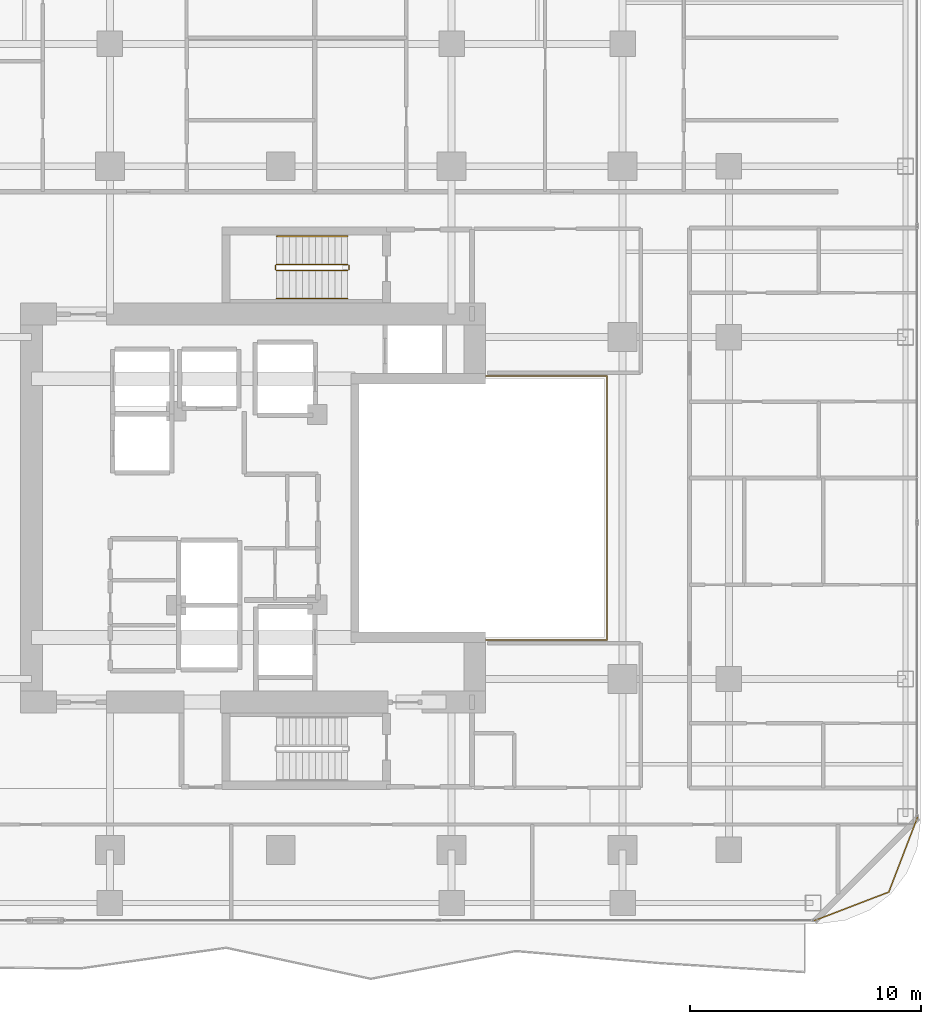
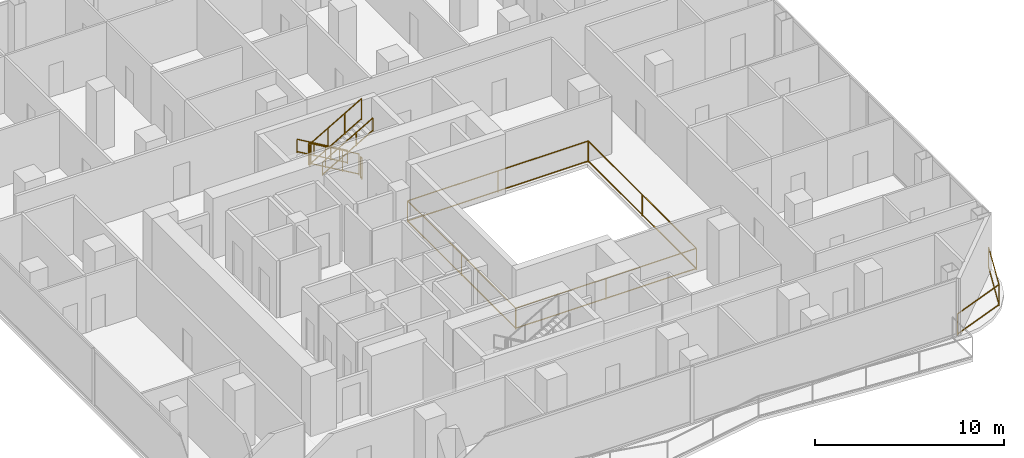
# One storey, part 26 of 27: 8 railings.
"""IFC4 building model written with IfcOpenShell, lengths in metres."""

from ifc_helpers import new_model, si_unit, direction, frame, origin, origin_2d, place, context, subcontext, project, spatial, rectangle, extrude, material, type_object, element, save


model = new_model("IFC4")

# Units and contexts
model_context = context("Model", 3, precision=1e-05, world=origin(), true_north=direction((0.0, 1.0)))
body_context = subcontext(model_context, "Body", "Model", "MODEL_VIEW")
ifc_project = project(units=[si_unit("LENGTHUNIT", "METRE"), si_unit("AREAUNIT", "SQUARE_METRE"), si_unit("VOLUMEUNIT", "CUBIC_METRE"), si_unit("PLANEANGLEUNIT", "RADIAN"), si_unit("MASSUNIT", "GRAM", prefix="KILO")], contexts=[model_context])

# Site, building, storey
site_placement = place(None, origin())
site = spatial("IfcSite", under=ifc_project, at=site_placement, CompositionType="ELEMENT")
building_placement = place(site_placement, origin())
building = spatial("IfcBuilding", under=site, at=building_placement, Name="Khorvyn Point Tower", CompositionType="ELEMENT")
storey_placement = place(building_placement, frame((0.0, 0.0, 125.10009765625)))
storey = spatial("IfcBuildingStorey", under=building, at=storey_placement, Name="L31", CompositionType="ELEMENT", Elevation=125.10009765625)

# Railings
ifc_material_1 = material(Name="Stainless steel 1.4401 and laminated glass", Category="steel")
railing_type_1 = type_object("IfcRailingType", Name="Crystal Atrium Smoke-Rated Perimeter Guardrail 1400", PredefinedType="GUARDRAIL", material=ifc_material_1)
railing_1_placement = place(storey_placement, frame((3.080078125, -5.719970703125, 0.0)))
element("IfcRailing", 1, at=railing_1_placement, inside=storey, type_object=railing_type_1, Name="L31 Crystal Atrium Perimeter Guardrail", PredefinedType="GUARDRAIL", context=body_context, shape_type="SweptSolid", body=[
    extrude(rectangle(XDim=0.048095703125, YDim=0.048095703125, at=origin_2d()), frame((0.0, 0.0, 1.3759765625), z_axis=(1.0, 0.0, 0.0), x_axis=(0.0, 1.0, 0.0)), (0.0, 0.0, 1.0), 11.0400390625),
    extrude(rectangle(XDim=0.048095703125, YDim=0.048095703125, at=origin_2d()), frame((0.0, 0.0, 0.080078125), z_axis=(1.0, 0.0, 0.0), x_axis=(0.0, 1.0, 0.0)), (0.0, 0.0, 1.0), 11.0400390625),
    extrude(rectangle(XDim=0.048095703125, YDim=0.048095703125, at=origin_2d()), frame((11.0400390625, 0.0, 1.3759765625), z_axis=(0.0, 1.0, 0.0), x_axis=(-1.0, 0.0, 0.0)), (0.0, 0.0, 1.0), 11.43994140625),
    extrude(rectangle(XDim=0.048095703125, YDim=0.048095703125, at=origin_2d()), frame((11.0400390625, 0.0, 0.080078125), z_axis=(0.0, 1.0, 0.0), x_axis=(-1.0, 0.0, 0.0)), (0.0, 0.0, 1.0), 11.43994140625),
    extrude(rectangle(XDim=0.048095703125, YDim=0.048095703125, at=origin_2d()), frame((11.0400390625, 11.43994140625, 1.3759765625), z_axis=(-1.0, 0.0, 0.0), x_axis=(0.0, -1.0, 0.0)), (0.0, 0.0, 1.0), 11.0400390625),
    extrude(rectangle(XDim=0.048095703125, YDim=0.048095703125, at=origin_2d()), frame((11.0400390625, 11.43994140625, 0.080078125), z_axis=(-1.0, 0.0, 0.0), x_axis=(0.0, -1.0, 0.0)), (0.0, 0.0, 1.0), 11.0400390625),
    extrude(rectangle(XDim=0.048095703125, YDim=0.048095703125, at=origin_2d()), frame((0.0, 11.43994140625, 1.3759765625), z_axis=(0.0, -1.0, 0.0), x_axis=(1.0, 0.0, 0.0)), (0.0, 0.0, 1.0), 11.409912109375),
    extrude(rectangle(XDim=0.048095703125, YDim=0.048095703125, at=origin_2d()), frame((0.0, 11.43994140625, 0.080078125), z_axis=(0.0, -1.0, 0.0), x_axis=(1.0, 0.0, 0.0)), (0.0, 0.0, 1.0), 11.409912109375),
    extrude(rectangle(XDim=0.0419921875, YDim=0.0419921875, at=origin_2d()), origin(), (0.0, 0.0, 1.0), 1.351806640625),
    extrude(rectangle(XDim=0.0419921875, YDim=0.0419921875, at=origin_2d()), frame((5.52001953125, 0.0, 0.0)), (0.0, 0.0, 1.0), 1.351806640625),
    extrude(rectangle(XDim=0.0419921875, YDim=0.0419921875, at=origin_2d()), frame((11.0400390625, 0.0, 0.0)), (0.0, 0.0, 1.0), 1.351806640625),
    extrude(rectangle(XDim=0.0419921875, YDim=0.0419921875, at=origin_2d()), frame((11.0400390625, 5.719970703125, 0.0)), (0.0, 0.0, 1.0), 1.351806640625),
    extrude(rectangle(XDim=0.0419921875, YDim=0.0419921875, at=origin_2d()), frame((11.0400390625, 11.43994140625, 0.0)), (0.0, 0.0, 1.0), 1.351806640625),
    extrude(rectangle(XDim=0.0419921875, YDim=0.0419921875, at=origin_2d()), frame((5.52001953125, 11.43994140625, 0.0)), (0.0, 0.0, 1.0), 1.351806640625),
    extrude(rectangle(XDim=0.0419921875, YDim=0.0419921875, at=origin_2d()), frame((0.0, 11.43994140625, 0.0)), (0.0, 0.0, 1.0), 1.351806640625),
    extrude(rectangle(XDim=0.0419921875, YDim=0.0419921875, at=origin_2d()), frame((0.0, 5.73486328125, 0.0)), (0.0, 0.0, 1.0), 1.351806640625),
    extrude(rectangle(XDim=0.0419921875, YDim=0.0419921875, at=origin_2d()), frame((0.0, 0.030029296875, 0.0)), (0.0, 0.0, 1.0), 1.351806640625),
])
ifc_material_2 = material(Name="Anodised aluminium 6063-T6 and laminated safety glass", Category="aluminium")
railing_type_2 = type_object("IfcRailingType", Name="Laminated Glass and Aluminium Balcony Guardrail 1400", PredefinedType="BALUSTRADE", material=ifc_material_2)
railing_2_placement = place(storey_placement, frame((23.075927734375, -17.8740234375, 0.0)))
element("IfcRailing", 2, at=railing_2_placement, inside=storey, type_object=railing_type_2, Name="L31 Rounded Corner Edge Guardrail SE", PredefinedType="BALUSTRADE", context=body_context, shape_type="SweptSolid", body=[
    extrude(rectangle(XDim=0.048095703125, YDim=0.048095703125, at=origin_2d()), frame((0.0, 0.0, 1.3759765625), z_axis=(0.933598390295, 0.358321148746, 0.0), x_axis=(-0.358321148746, 0.933598390295, 0.0)), (0.0, 0.0, 1.0), 3.481689453125),
    extrude(rectangle(XDim=0.048095703125, YDim=0.048095703125, at=origin_2d()), frame((0.0, 0.0, 0.080078125), z_axis=(0.933598390295, 0.358321148746, 0.0), x_axis=(-0.358321148746, 0.933598390295, 0.0)), (0.0, 0.0, 1.0), 3.481689453125),
    extrude(rectangle(XDim=0.048095703125, YDim=0.048095703125, at=origin_2d()), frame((3.25048828125, 1.24755859375, 1.3759765625), z_axis=(0.358382264808, 0.933574931257, 0.0), x_axis=(-0.933574931257, 0.358382264808, 0.0)), (0.0, 0.0, 1.0), 3.481689453125),
    extrude(rectangle(XDim=0.048095703125, YDim=0.048095703125, at=origin_2d()), frame((3.25048828125, 1.24755859375, 0.080078125), z_axis=(0.358382264808, 0.933574931257, 0.0), x_axis=(-0.933574931257, 0.358382264808, 0.0)), (0.0, 0.0, 1.0), 3.481689453125),
    extrude(rectangle(XDim=0.0419921875, YDim=0.0419921875, at=origin_2d()), origin(), (0.0, 0.0, 1.0), 1.351806640625),
    extrude(rectangle(XDim=0.0419921875, YDim=0.0419921875, at=origin_2d()), frame((3.25048828125, 1.24755859375, 0.0)), (0.0, 0.0, 1.0), 1.351806640625),
    extrude(rectangle(XDim=0.0419921875, YDim=0.0419921875, at=origin_2d()), frame((4.498291015625, 4.498046875, 0.0)), (0.0, 0.0, 1.0), 1.351806640625),
])
ifc_material_3 = material(Name="Stainless steel 1.4301", Category="steel")
railing_type_3 = type_object("IfcRailingType", Name="Stainless Steel 304 Stair Pitch Handrail 900", PredefinedType="HANDRAIL", material=ifc_material_3)
railing_3_placement = place(storey_placement, frame((2.89990234375, 11.77001953125, 0.162353515625)))
element("IfcRailing", 3, at=railing_3_placement, inside=storey, type_object=railing_type_3, Name="L31 ST-02 stair handrail 1", PredefinedType="HANDRAIL", context=body_context, shape_type="SweptSolid", body=[
    extrude(rectangle(XDim=0.048095703125, YDim=0.048095703125, at=origin_2d()), frame((0.0, 0.0, 0.8759765625), z_axis=(-0.864873446163, 0.0, 0.501989962173), x_axis=(0.0, -1.0, 0.0)), (0.0, 0.0, 1.0), 3.56103515625),
    extrude(rectangle(XDim=0.048095703125, YDim=0.048095703125, at=origin_2d()), frame((0.0, 0.0, 0.080078125), z_axis=(-0.864873446163, 0.0, 0.501989962173), x_axis=(0.0, -1.0, 0.0)), (0.0, 0.0, 1.0), 3.56103515625),
    extrude(rectangle(XDim=0.0419921875, YDim=0.0419921875, at=origin_2d()), origin(), (0.0, 0.0, 1.0), 0.851806640625),
    extrude(rectangle(XDim=0.0419921875, YDim=0.0419921875, at=origin_2d()), frame((-1.026611328125, 0.0, 0.595947265625)), (0.0, 0.0, 1.0), 0.851806640625),
    extrude(rectangle(XDim=0.0419921875, YDim=0.0419921875, at=origin_2d()), frame((-2.05322265625, 0.0, 1.191650390625)), (0.0, 0.0, 1.0), 0.851806640625),
    extrude(rectangle(XDim=0.0419921875, YDim=0.0419921875, at=origin_2d()), frame((-3.079833984375, 0.0, 1.78759765625)), (0.0, 0.0, 1.0), 0.851806640625),
])
railing_4_placement = place(storey_placement, frame((-0.179931640625, 9.070068359375, 2.1123046875)))
element("IfcRailing", 4, at=railing_4_placement, inside=storey, type_object=railing_type_3, Name="L31 ST-02 stair handrail 2", PredefinedType="HANDRAIL", context=body_context, shape_type="SweptSolid", body=[
    extrude(rectangle(XDim=0.048095703125, YDim=0.048095703125, at=origin_2d()), frame((0.0, 0.0, 0.8759765625), z_axis=(0.864873446163, 0.0, 0.501989962173), x_axis=(0.0, 1.0, 0.0)), (0.0, 0.0, 1.0), 3.56103515625),
    extrude(rectangle(XDim=0.048095703125, YDim=0.048095703125, at=origin_2d()), frame((0.0, 0.0, 0.080078125), z_axis=(0.864873446163, 0.0, 0.501989962173), x_axis=(0.0, 1.0, 0.0)), (0.0, 0.0, 1.0), 3.56103515625),
    extrude(rectangle(XDim=0.0419921875, YDim=0.0419921875, at=origin_2d()), origin(), (0.0, 0.0, 1.0), 0.851806640625),
    extrude(rectangle(XDim=0.0419921875, YDim=0.0419921875, at=origin_2d()), frame((1.026611328125, 0.0, 0.595947265625)), (0.0, 0.0, 1.0), 0.851806640625),
    extrude(rectangle(XDim=0.0419921875, YDim=0.0419921875, at=origin_2d()), frame((2.05322265625, 0.0, 1.191650390625)), (0.0, 0.0, 1.0), 0.851806640625),
    extrude(rectangle(XDim=0.0419921875, YDim=0.0419921875, at=origin_2d()), frame((3.079833984375, 0.0, 1.78759765625)), (0.0, 0.0, 1.0), 0.851806640625),
])
railing_type_4 = type_object("IfcRailingType", Name="Stainless Steel 304 Stair Well Guardrail 1400", PredefinedType="GUARDRAIL", material=ifc_material_3)
railing_5_placement = place(storey_placement, frame((2.89990234375, 10.550048828125, 0.162353515625)))
element("IfcRailing", 5, at=railing_5_placement, inside=storey, type_object=railing_type_4, Name="L31 ST-02 stair guard 1", PredefinedType="GUARDRAIL", context=body_context, shape_type="SweptSolid", body=[
    extrude(rectangle(XDim=0.048095703125, YDim=0.048095703125, at=origin_2d()), frame((0.0, 0.0, 1.3759765625), z_axis=(-0.864873446163, 0.0, 0.501989962173), x_axis=(0.0, -1.0, 0.0)), (0.0, 0.0, 1.0), 3.56103515625),
    extrude(rectangle(XDim=0.048095703125, YDim=0.048095703125, at=origin_2d()), frame((0.0, 0.0, 0.080078125), z_axis=(-0.864873446163, 0.0, 0.501989962173), x_axis=(0.0, -1.0, 0.0)), (0.0, 0.0, 1.0), 3.56103515625),
    extrude(rectangle(XDim=0.0419921875, YDim=0.0419921875, at=origin_2d()), origin(), (0.0, 0.0, 1.0), 1.351806640625),
    extrude(rectangle(XDim=0.0419921875, YDim=0.0419921875, at=origin_2d()), frame((-1.026611328125, 0.0, 0.595947265625)), (0.0, 0.0, 1.0), 1.351806640625),
    extrude(rectangle(XDim=0.0419921875, YDim=0.0419921875, at=origin_2d()), frame((-2.05322265625, 0.0, 1.191650390625)), (0.0, 0.0, 1.0), 1.351806640625),
    extrude(rectangle(XDim=0.0419921875, YDim=0.0419921875, at=origin_2d()), frame((-3.079833984375, 0.0, 1.78759765625)), (0.0, 0.0, 1.0), 1.351806640625),
])
railing_6_placement = place(storey_placement, frame((-0.22998046875, 10.5, 1.949951171875)))
element("IfcRailing", 6, at=railing_6_placement, inside=storey, type_object=railing_type_4, Name="L31 ST-02 stair guard 2", PredefinedType="GUARDRAIL", context=body_context, shape_type="SweptSolid", body=[
    extrude(rectangle(XDim=0.048095703125, YDim=0.048095703125, at=origin_2d()), frame((0.0, 0.0, 1.3759765625), z_axis=(0.0, -1.0, 0.0), x_axis=(1.0, 0.0, 0.0)), (0.0, 0.0, 1.0), 0.159912109375),
    extrude(rectangle(XDim=0.048095703125, YDim=0.048095703125, at=origin_2d()), frame((0.0, 0.0, 0.080078125), z_axis=(0.0, -1.0, 0.0), x_axis=(1.0, 0.0, 0.0)), (0.0, 0.0, 1.0), 0.159912109375),
    extrude(rectangle(XDim=0.0419921875, YDim=0.0419921875, at=origin_2d()), origin(), (0.0, 0.0, 1.0), 1.351806640625),
    extrude(rectangle(XDim=0.0419921875, YDim=0.0419921875, at=origin_2d()), frame((0.0, -0.159912109375, 0.0)), (0.0, 0.0, 1.0), 1.351806640625),
])
railing_7_placement = place(storey_placement, frame((-0.179931640625, 10.2900390625, 2.1123046875)))
element("IfcRailing", 7, at=railing_7_placement, inside=storey, type_object=railing_type_4, Name="L31 ST-02 stair guard 3", PredefinedType="GUARDRAIL", context=body_context, shape_type="SweptSolid", body=[
    extrude(rectangle(XDim=0.048095703125, YDim=0.048095703125, at=origin_2d()), frame((0.0, 0.0, 1.3759765625), z_axis=(0.864873446163, 0.0, 0.501989962173), x_axis=(0.0, 1.0, 0.0)), (0.0, 0.0, 1.0), 3.56103515625),
    extrude(rectangle(XDim=0.048095703125, YDim=0.048095703125, at=origin_2d()), frame((0.0, 0.0, 0.080078125), z_axis=(0.864873446163, 0.0, 0.501989962173), x_axis=(0.0, 1.0, 0.0)), (0.0, 0.0, 1.0), 3.56103515625),
    extrude(rectangle(XDim=0.0419921875, YDim=0.0419921875, at=origin_2d()), origin(), (0.0, 0.0, 1.0), 1.351806640625),
    extrude(rectangle(XDim=0.0419921875, YDim=0.0419921875, at=origin_2d()), frame((1.026611328125, 0.0, 0.595947265625)), (0.0, 0.0, 1.0), 1.351806640625),
    extrude(rectangle(XDim=0.0419921875, YDim=0.0419921875, at=origin_2d()), frame((2.05322265625, 0.0, 1.191650390625)), (0.0, 0.0, 1.0), 1.351806640625),
    extrude(rectangle(XDim=0.0419921875, YDim=0.0419921875, at=origin_2d()), frame((3.079833984375, 0.0, 1.78759765625)), (0.0, 0.0, 1.0), 1.351806640625),
])
railing_8_placement = place(storey_placement, frame((2.949951171875, 10.5, 0.0)))
element("IfcRailing", 8, at=railing_8_placement, inside=storey, type_object=railing_type_4, Name="L31 ST-02 stair guard 4", PredefinedType="GUARDRAIL", context=body_context, shape_type="SweptSolid", body=[
    extrude(rectangle(XDim=0.048095703125, YDim=0.048095703125, at=origin_2d()), frame((0.0, 0.0, 1.3759765625), z_axis=(0.0, -1.0, 0.0), x_axis=(1.0, 0.0, 0.0)), (0.0, 0.0, 1.0), 0.159912109375),
    extrude(rectangle(XDim=0.048095703125, YDim=0.048095703125, at=origin_2d()), frame((0.0, 0.0, 0.080078125), z_axis=(0.0, -1.0, 0.0), x_axis=(1.0, 0.0, 0.0)), (0.0, 0.0, 1.0), 0.159912109375),
    extrude(rectangle(XDim=0.0419921875, YDim=0.0419921875, at=origin_2d()), origin(), (0.0, 0.0, 1.0), 1.351806640625),
    extrude(rectangle(XDim=0.0419921875, YDim=0.0419921875, at=origin_2d()), frame((0.0, -0.159912109375, 0.0)), (0.0, 0.0, 1.0), 1.351806640625),
])

save(model, "model.ifc")
